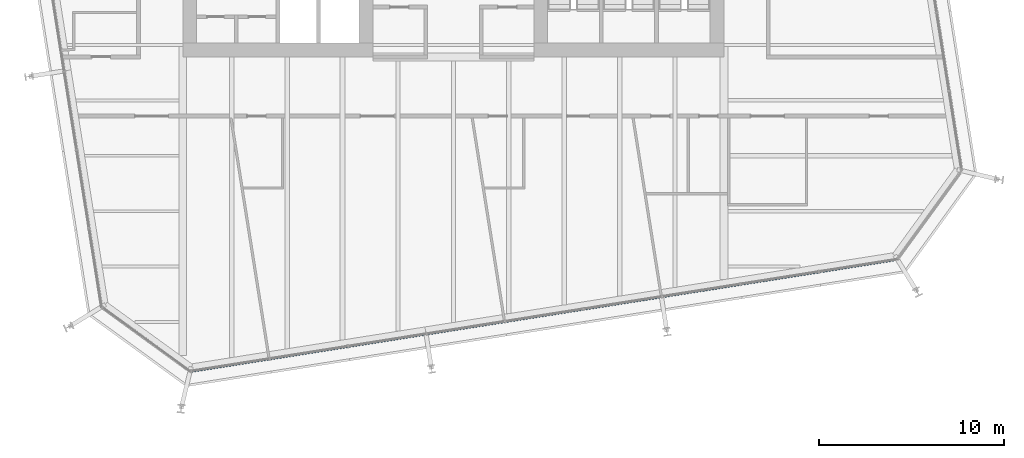
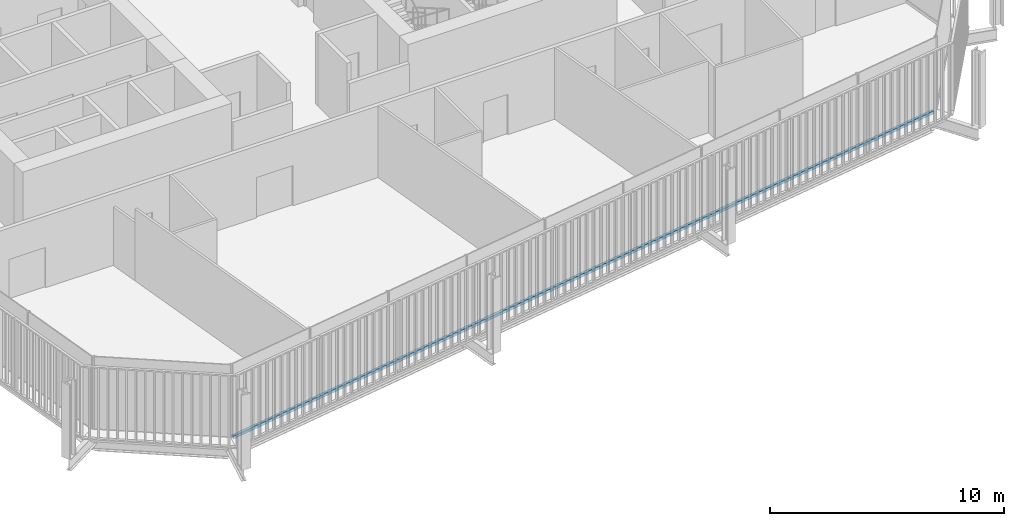
# One storey, part 7 of 21: 1 member, 1 element without a shape of its own.
"""IFC4 building model written with IfcOpenShell, lengths in metres."""

from ifc_helpers import new_model, si_unit, direction, frame, origin, origin_2d, place, context, subcontext, project, spatial, rectangle, extrude, material, layer, layer_set, material_profile, profile_set, type_object, element, aggregate, save


model = new_model("IFC4")

# Units and contexts
model_context = context("Model", 3, precision=1e-05, world=origin(), true_north=direction((0.0, 1.0)))
body_context = subcontext(model_context, "Body", "Model", "MODEL_VIEW")
ifc_project = project(units=[si_unit("LENGTHUNIT", "METRE"), si_unit("AREAUNIT", "SQUARE_METRE"), si_unit("VOLUMEUNIT", "CUBIC_METRE"), si_unit("PLANEANGLEUNIT", "RADIAN"), si_unit("MASSUNIT", "GRAM", prefix="KILO")], contexts=[model_context])

# Site, building, storey
site_placement = place(None, origin())
site = spatial("IfcSite", under=ifc_project, at=site_placement, CompositionType="ELEMENT")
building_placement = place(site_placement, origin())
building = spatial("IfcBuilding", under=site, at=building_placement, Name="Millrace Tower", CompositionType="ELEMENT")
storey_placement = place(building_placement, frame((0.0, 0.0, 164.60009765625)))
storey = spatial("IfcBuildingStorey", under=building, at=storey_placement, Name="L37", CompositionType="ELEMENT", Elevation=164.60009765625)

# Curtain wall, member
ifc_material_1 = material(Name="Aluminium and glass", Category="aluminium")
ifc_layer = layer(ifc_material_1, 0.14990234375)
ifc_layer_set = layer_set([ifc_layer], Name="Aluminium and glass")
curtain_wall_type = type_object("IfcCurtainWallType", Name="CW-1 office vision curtain wall", PredefinedType="NOTDEFINED", material=ifc_layer_set)
curtain_wall_placement = place(storey_placement, origin())
curtain_wall = element("IfcCurtainWall", 1, at=curtain_wall_placement, inside=storey, type_object=curtain_wall_type, Name="Curtain wall C-F02 L37", PredefinedType="NOTDEFINED")
ifc_material_2 = material(Name="Aluminium", Category="aluminium")
ifc_material_profile = material_profile(ifc_material_2, rectangle(XDim=0.14990234375, YDim=0.139892578125, at=origin_2d()))
ifc_profile_set = profile_set([ifc_material_profile], Name="Aluminium")
member_type = type_object("IfcMemberType", Name="CW-1 office vision curtain wall transom", PredefinedType="USERDEFINED", material=ifc_profile_set)
member_placement = place(storey_placement, frame((-14.125, -26.64599609375, 0.06982421875), z_axis=(0.987688350509, 0.156434402447, 0.0), x_axis=(-0.156434402447, 0.987688350509, 0.0)))
member = element("IfcMember", 2, at=member_placement, type_object=member_type, Name="CW1 transom C-F02.1", ObjectType="TRANSOM", PredefinedType="USERDEFINED", context=body_context, shape_type="SweptSolid", body=[
    extrude(rectangle(XDim=0.14990234375, YDim=0.139892578125, at=origin_2d()), origin(), (0.0, 0.0, 1.0), 38.499755859375),
])
aggregate(curtain_wall, [member])

save(model, "model.ifc")
